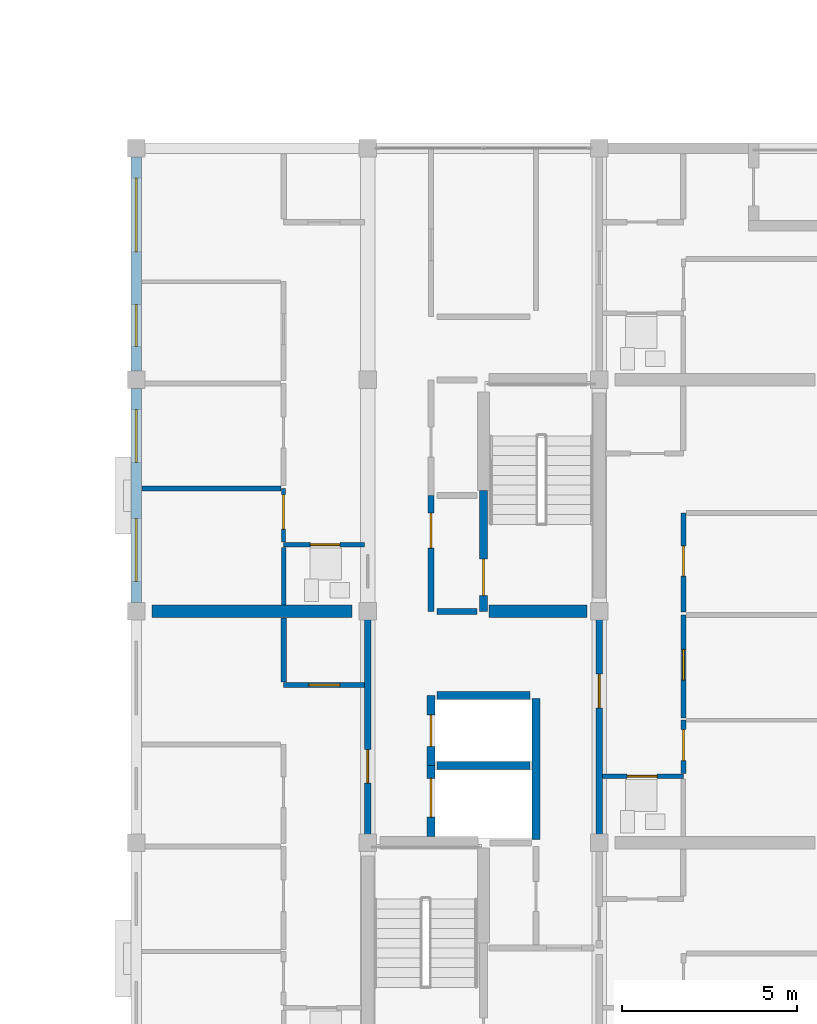
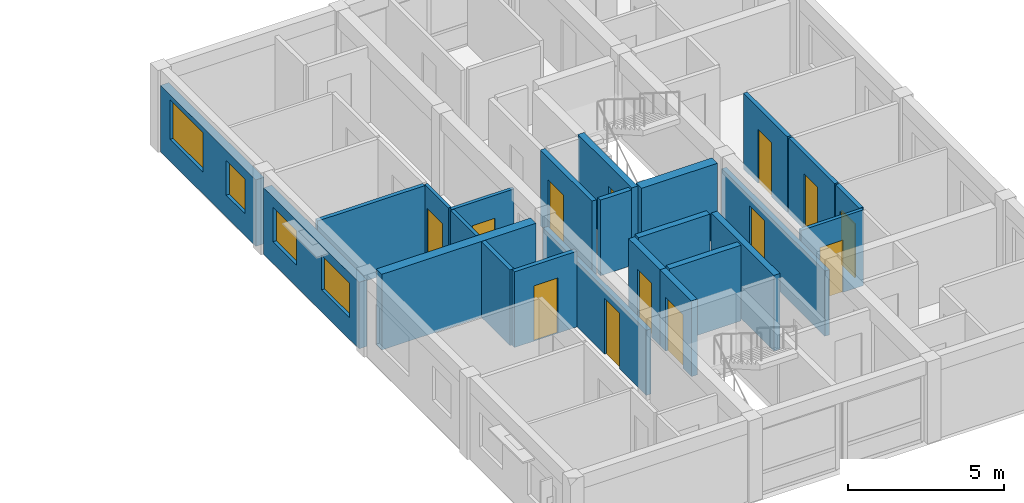
# One storey, part 31 of 52: 24 walls, 13 doors, 4 windows, 17 openings.
"""IFC4 building model written with IfcOpenShell, lengths in metres."""

from ifc_helpers import new_model, si_unit, direction, frame, frame_2d, origin, place, context, subcontext, project, spatial, rectangle, extrude, material, layer, layer_set, type_object, element, fill, save


model = new_model("IFC4")

# Units and contexts
model_context = context("Model", 3, precision=1e-05, world=origin(), true_north=direction((0.0, 1.0)))
body_context = subcontext(model_context, "Body", "Model", "MODEL_VIEW")
ifc_project = project(units=[si_unit("LENGTHUNIT", "METRE"), si_unit("AREAUNIT", "SQUARE_METRE"), si_unit("VOLUMEUNIT", "CUBIC_METRE"), si_unit("PLANEANGLEUNIT", "RADIAN"), si_unit("MASSUNIT", "GRAM", prefix="KILO")], contexts=[model_context])

# Site, building, storey
site_placement = place(None, origin())
site = spatial("IfcSite", under=ifc_project, at=site_placement, CompositionType="ELEMENT")
building_placement = place(site_placement, origin())
building = spatial("IfcBuilding", under=site, at=building_placement, Name="Kernevlak Ridge Housing Community", CompositionType="ELEMENT")
storey_placement = place(building_placement, frame((0.0, 0.0, 11.60009765625)))
storey = spatial("IfcBuildingStorey", under=building, at=storey_placement, Name="L03", CompositionType="ELEMENT", Elevation=11.60009765625)

# Wall, openings, windows
ifc_material_1 = material(Name="Concrete block masonry M10", Category="masonry")
ifc_layer_1 = layer(ifc_material_1, 0.300048828125, Name="Concrete block masonry M10")
ifc_layer_set_1 = layer_set([ifc_layer_1], Name="Concrete block masonry M10")
wall_type_1 = type_object("IfcWallType", Name="EW-01", PredefinedType="STANDARD", material=ifc_layer_set_1)
wall_1_placement = place(storey_placement, frame((126.0, 29.050048828125, 0.0), z_axis=(0.0, 0.0, 1.0), x_axis=(0.0, 1.0, 0.0)))
wall_1 = element("IfcWall", 1, at=wall_1_placement, inside=storey, type_object=wall_type_1, Name="Exterior wall EW-01 L03 574", PredefinedType="STANDARD", context=body_context, shape_type="SweptSolid", body=[
    extrude(rectangle(XDim=6.099853515625, YDim=0.300048828125, at=frame_2d((3.0498046875, 0.0))), origin(), (0.0, 0.0, 1.0), 2.599853515625),
])
opening_1_placement = place(wall_1_placement, frame((0.60009765625, 0.0, 0.85009765625)))
opening_1 = element("IfcOpeningElement", 2, at=opening_1_placement, cuts=wall_1, Name="Opening WT-03", PredefinedType="OPENING", context=body_context, shape_type="SweptSolid", body=[
    extrude(rectangle(XDim=1.800048828125, YDim=1.35009765625, at=frame_2d((0.89990234375, 0.675048828125))), frame((0.0, 0.159912109375, 0.0), z_axis=(0.0, -1.0, 0.0), x_axis=(1.0, 0.0, 0.0)), (0.0, 0.0, 1.0), 0.320068359375),
])
opening_2_placement = place(wall_1_placement, frame((4.0, 0.0, 0.85009765625)))
opening_2 = element("IfcOpeningElement", 3, at=opening_2_placement, cuts=wall_1, Name="Opening WT-02", PredefinedType="OPENING", context=body_context, shape_type="SweptSolid", body=[
    extrude(rectangle(XDim=1.5, YDim=1.35009765625, at=frame_2d((0.75, 0.675048828125))), frame((0.0, 0.159912109375, 0.0), z_axis=(0.0, -1.0, 0.0), x_axis=(1.0, 0.0, 0.0)), (0.0, 0.0, 1.0), 0.320068359375),
])
ifc_material_2 = material(Name="Aluminium EN AW-6060 anodised and laminated glass", Category="aluminium")
window_type_1 = type_object("IfcWindowType", Name="WT-02", PartitioningType="SINGLE_PANEL", PredefinedType="WINDOW", material=ifc_material_2)
window_1_placement = place(opening_2_placement, origin())
window_1 = element("IfcWindow", 4, at=window_1_placement, inside=storey, type_object=window_type_1, Name="Window WT-02 L03 462", OverallHeight=1.35009765625, OverallWidth=1.5, PartitioningType="SINGLE_PANEL", PredefinedType="WINDOW", context=body_context, shape_type="SweptSolid", body=[
    extrude(rectangle(XDim=1.5, YDim=1.35009765625, at=frame_2d((0.75, 0.675048828125))), frame((0.0, 0.030029296875, 0.0), z_axis=(0.0, -1.0, 0.0), x_axis=(1.0, 0.0, 0.0)), (0.0, 0.0, 1.0), 0.06005859375),
])
fill(opening_2, window_1)
window_type_2 = type_object("IfcWindowType", Name="WT-03", PartitioningType="SINGLE_PANEL", PredefinedType="WINDOW", material=ifc_material_2)
window_2_placement = place(opening_1_placement, origin())
window_2 = element("IfcWindow", 5, at=window_2_placement, inside=storey, type_object=window_type_2, Name="Window WT-03 L03 461", OverallHeight=1.35009765625, OverallWidth=1.800048828125, PartitioningType="SINGLE_PANEL", PredefinedType="WINDOW", context=body_context, shape_type="SweptSolid", body=[
    extrude(rectangle(XDim=1.800048828125, YDim=1.35009765625, at=frame_2d((0.89990234375, 0.675048828125))), frame((0.0, 0.030029296875, 0.0), z_axis=(0.0, -1.0, 0.0), x_axis=(1.0, 0.0, 0.0)), (0.0, 0.0, 1.0), 0.06005859375),
])
fill(opening_1, window_2)

wall_2_placement = place(storey_placement, frame((126.0, 35.64990234375, 0.0), z_axis=(0.0, 0.0, 1.0), x_axis=(0.0, 1.0, 0.0)))
wall_2 = element("IfcWall", 6, at=wall_2_placement, inside=storey, type_object=wall_type_1, Name="Exterior wall EW-01 L03 575", PredefinedType="STANDARD", context=body_context, shape_type="SweptSolid", body=[
    extrude(rectangle(XDim=6.10009765625, YDim=0.300048828125, at=frame_2d((3.050048828125, 0.0))), origin(), (0.0, 0.0, 1.0), 2.599853515625),
])
opening_3_placement = place(wall_2_placement, frame((0.699951171875, 0.0, 0.85009765625)))
opening_3 = element("IfcOpeningElement", 7, at=opening_3_placement, cuts=wall_2, Name="Opening WT-01", PredefinedType="OPENING", context=body_context, shape_type="SweptSolid", body=[
    extrude(rectangle(XDim=1.199951171875, YDim=1.35009765625, at=frame_2d((0.60009765625, 0.675048828125))), frame((0.0, 0.159912109375, 0.0), z_axis=(0.0, -1.0, 0.0), x_axis=(1.0, 0.0, 0.0)), (0.0, 0.0, 1.0), 0.320068359375),
])
opening_4_placement = place(wall_2_placement, frame((3.39990234375, 0.0, 0.85009765625)))
opening_4 = element("IfcOpeningElement", 8, at=opening_4_placement, cuts=wall_2, Name="Opening WT-05", PredefinedType="OPENING", context=body_context, shape_type="SweptSolid", body=[
    extrude(rectangle(XDim=2.10009765625, YDim=1.550048828125, at=frame_2d((1.050048828125, 0.77490234375))), frame((0.0, 0.159912109375, 0.0), z_axis=(0.0, -1.0, 0.0), x_axis=(1.0, 0.0, 0.0)), (0.0, 0.0, 1.0), 0.320068359375),
])
window_type_3 = type_object("IfcWindowType", Name="WT-01", PartitioningType="SINGLE_PANEL", PredefinedType="WINDOW", material=ifc_material_2)
window_3_placement = place(opening_3_placement, origin())
window_3 = element("IfcWindow", 9, at=window_3_placement, inside=storey, type_object=window_type_3, Name="Window WT-01 L03 463", OverallHeight=1.35009765625, OverallWidth=1.199951171875, PartitioningType="SINGLE_PANEL", PredefinedType="WINDOW", context=body_context, shape_type="SweptSolid", body=[
    extrude(rectangle(XDim=1.199951171875, YDim=1.35009765625, at=frame_2d((0.60009765625, 0.675048828125))), frame((0.0, 0.030029296875, 0.0), z_axis=(0.0, -1.0, 0.0), x_axis=(1.0, 0.0, 0.0)), (0.0, 0.0, 1.0), 0.06005859375),
])
fill(opening_3, window_3)
window_type_4 = type_object("IfcWindowType", Name="WT-05", PartitioningType="SINGLE_PANEL", PredefinedType="WINDOW", material=ifc_material_2)
window_4_placement = place(opening_4_placement, origin())
window_4 = element("IfcWindow", 10, at=window_4_placement, inside=storey, type_object=window_type_4, Name="Window WT-05 L03 464", OverallHeight=1.550048828125, OverallWidth=2.10009765625, PartitioningType="SINGLE_PANEL", PredefinedType="WINDOW", context=body_context, shape_type="SweptSolid", body=[
    extrude(rectangle(XDim=2.10009765625, YDim=1.550048828125, at=frame_2d((1.050048828125, 0.77490234375))), frame((0.0, 0.030029296875, 0.0), z_axis=(0.0, -1.0, 0.0), x_axis=(1.0, 0.0, 0.0)), (0.0, 0.0, 1.0), 0.06005859375),
])
fill(opening_4, window_4)

# Wall, opening, door
ifc_material_3 = material(Name="Concrete C35/45", Category="concrete")
ifc_layer_2 = layer(ifc_material_3, 0.22509765625, Name="Concrete C35/45")
ifc_layer_set_2 = layer_set([ifc_layer_2], Name="Concrete C35/45")
wall_type_2 = type_object("IfcWallType", Name="PW-01", PredefinedType="STANDARD", material=ifc_layer_set_2)
wall_3_placement = place(storey_placement, frame((134.39990234375, 22.385009765625, 0.0), z_axis=(0.0, 0.0, 1.0), x_axis=(0.0, 1.0, 0.0)))
wall_3 = element("IfcWall", 11, at=wall_3_placement, inside=storey, type_object=wall_type_2, Name="Interior wall PW-01 WAL-INT-L03-2300", PredefinedType="STANDARD", context=body_context, shape_type="SweptSolid", body=[
    extrude(rectangle(XDim=2.014892578125, YDim=0.22509765625, at=frame_2d((1.00732421875, 0.0))), origin(), (0.0, 0.0, 1.0), 2.9599609375),
])
opening_5_placement = place(wall_3_placement, frame((0.550048828125, 0.0, 0.0)))
opening_5 = element("IfcOpeningElement", 12, at=opening_5_placement, cuts=wall_3, Name="Opening LD61", PredefinedType="OPENING", context=body_context, shape_type="SweptSolid", body=[
    extrude(rectangle(XDim=1.10009765625, YDim=2.10009765625, at=frame_2d((0.550048828125, 1.050048828125))), frame((0.0, 0.12255859375, 0.0), z_axis=(0.0, -1.0, 0.0), x_axis=(1.0, 0.0, 0.0)), (0.0, 0.0, 1.0), 0.2451171875),
])
ifc_material_4 = material(Name="Stainless steel EN 1.4401", Category="steel")
door_type_1 = type_object("IfcDoorType", Name="DT-LD1", OperationType="DOUBLE_DOOR_SLIDING", PredefinedType="DOOR", material=ifc_material_4)
door_1_placement = place(opening_5_placement, origin())
door_1 = element("IfcDoor", 13, at=door_1_placement, inside=storey, type_object=door_type_1, Name="Lift LF-C1 landing door LD61", OperationType="DOUBLE_DOOR_SLIDING", OverallHeight=2.10009765625, OverallWidth=1.10009765625, PredefinedType="DOOR", context=body_context, shape_type="SweptSolid", body=[
    extrude(rectangle(XDim=1.10009765625, YDim=2.10009765625, at=frame_2d((0.550048828125, 1.050048828125))), frame((0.0, 0.02490234375, 0.0), z_axis=(0.0, -1.0, 0.0), x_axis=(1.0, 0.0, 0.0)), (0.0, 0.0, 1.0), 0.050048828125),
])
fill(opening_5, door_1)

wall_4_placement = place(storey_placement, frame((134.39990234375, 24.39990234375, 0.0), z_axis=(0.0, 0.0, 1.0), x_axis=(0.0, 1.0, 0.0)))
wall_4 = element("IfcWall", 14, at=wall_4_placement, inside=storey, type_object=wall_type_2, Name="Interior wall PW-01 WAL-INT-L03-2301", PredefinedType="STANDARD", context=body_context, shape_type="SweptSolid", body=[
    extrude(rectangle(XDim=2.0, YDim=0.22509765625, at=frame_2d((1.0, 0.0))), origin(), (0.0, 0.0, 1.0), 2.9599609375),
])
opening_6_placement = place(wall_4_placement, frame((0.550048828125, 0.0, 0.0)))
opening_6 = element("IfcOpeningElement", 15, at=opening_6_placement, cuts=wall_4, Name="Opening LD62", PredefinedType="OPENING", context=body_context, shape_type="SweptSolid", body=[
    extrude(rectangle(XDim=0.89990234375, YDim=2.10009765625, at=frame_2d((0.449951171875, 1.050048828125))), frame((0.0, 0.12255859375, 0.0), z_axis=(0.0, -1.0, 0.0), x_axis=(1.0, 0.0, 0.0)), (0.0, 0.0, 1.0), 0.2451171875),
])
door_type_2 = type_object("IfcDoorType", Name="DT-LD2", OperationType="DOUBLE_DOOR_SLIDING", PredefinedType="DOOR", material=ifc_material_4)
door_2_placement = place(opening_6_placement, origin())
door_2 = element("IfcDoor", 16, at=door_2_placement, inside=storey, type_object=door_type_2, Name="Lift LF-C2 landing door LD62", OperationType="DOUBLE_DOOR_SLIDING", OverallHeight=2.10009765625, OverallWidth=0.89990234375, PredefinedType="DOOR", context=body_context, shape_type="SweptSolid", body=[
    extrude(rectangle(XDim=0.89990234375, YDim=2.10009765625, at=frame_2d((0.449951171875, 1.050048828125))), frame((0.0, 0.02490234375, 0.0), z_axis=(0.0, -1.0, 0.0), x_axis=(1.0, 0.0, 0.0)), (0.0, 0.0, 1.0), 0.050048828125),
])
fill(opening_6, door_2)

# Walls
wall_5_placement = place(storey_placement, frame((137.39990234375, 22.297607421875, 0.0), z_axis=(0.0, 0.0, 1.0), x_axis=(0.0, 1.0, 0.0)))
element("IfcWall", 17, at=wall_5_placement, inside=storey, type_object=wall_type_2, Name="Interior wall PW-01 WAL-INT-L03-2302", PredefinedType="STANDARD", context=body_context, shape_type="SweptSolid", body=[
    extrude(rectangle(XDim=4.0224609375, YDim=0.22509765625, at=frame_2d((2.01123046875, 0.0))), origin(), (0.0, 0.0, 1.0), 2.9599609375),
])
for number, where, z_axis, x_axis, name in (
    (18, (134.580078125, 24.39990234375, 0.0), (0.0, 0.0, 1.0), (1.0, 0.0, 0.0), "Interior wall PW-01 WAL-INT-L03-2304"),
    (19, (134.580078125, 26.39990234375, 0.0), (0.0, 0.0, 1.0), (1.0, 0.0, 0.0), "Interior wall PW-01 WAL-INT-L03-2305"),
):
    element("IfcWall", number, at=place(storey_placement, frame(where, z_axis=z_axis, x_axis=x_axis)), inside=storey, type_object=wall_type_2, Name=name, PredefinedType="STANDARD", context=body_context, shape_type="SweptSolid", body=[
        extrude(rectangle(XDim=2.639892578125, YDim=0.22509765625, at=frame_2d((1.31982421875, 0.0))), origin(), (0.0, 0.0, 1.0), 2.9599609375),
    ])

# Wall, opening, door
wall_6_placement = place(storey_placement, frame((135.89990234375, 28.800048828125, 0.0), z_axis=(0.0, 0.0, 1.0), x_axis=(0.0, 1.0, 0.0)))
wall_6 = element("IfcWall", 20, at=wall_6_placement, inside=storey, type_object=wall_type_2, Name="Interior wall PW-01 WAL-INT-L03-2306", PredefinedType="STANDARD", context=body_context, shape_type="SweptSolid", body=[
    extrude(rectangle(XDim=3.449951171875, YDim=0.22509765625, at=frame_2d((1.72509765625, 0.0))), origin(), (0.0, 0.0, 1.0), 2.9599609375),
])
opening_7_placement = place(wall_6_placement, frame((0.449951171875, 0.0, 0.0)))
opening_7 = element("IfcOpeningElement", 21, at=opening_7_placement, cuts=wall_6, Name="Opening E168", PredefinedType="OPENING", context=body_context, shape_type="SweptSolid", body=[
    extrude(rectangle(XDim=1.0400390625, YDim=2.1201171875, at=frame_2d((0.52001953125, 1.06005859375))), frame((0.0, 0.12255859375, 0.0), z_axis=(0.0, -1.0, 0.0), x_axis=(1.0, 0.0, 0.0)), (0.0, 0.0, 1.0), 0.2451171875),
])
ifc_material_5 = material(Name="Fire-rated sheet steel leaf", Category="steel")
door_type_3 = type_object("IfcDoorType", Name="DT-16", OperationType="NOTDEFINED", PredefinedType="DOOR", material=ifc_material_5)
door_3_placement = place(opening_7_placement, origin())
door_3 = element("IfcDoor", 22, at=door_3_placement, inside=storey, type_object=door_type_3, Name="Block C Stair 2 fire door E168", OperationType="SINGLE_SWING_LEFT", OverallHeight=2.1201171875, OverallWidth=1.0400390625, PredefinedType="DOOR", context=body_context, shape_type="SweptSolid", body=[
    extrude(rectangle(XDim=1.0400390625, YDim=2.1201171875, at=frame_2d((0.52001953125, 1.06005859375))), frame((0.0, 0.02490234375, 0.0), z_axis=(0.0, -1.0, 0.0), x_axis=(1.0, 0.0, 0.0)), (0.0, 0.0, 1.0), 0.050048828125),
])
fill(opening_7, door_3)

ifc_layer_3 = layer(ifc_material_1, 0.175048828125, Name="Concrete block masonry M10")
ifc_layer_set_3 = layer_set([ifc_layer_3], Name="Concrete block masonry M10")
wall_type_3 = type_object("IfcWallType", Name="PW-02", PredefinedType="PARTITIONING", material=ifc_layer_set_3)
wall_7_placement = place(storey_placement, frame((134.39990234375, 28.800048828125, 0.0), z_axis=(0.0, 0.0, 1.0), x_axis=(0.0, 1.0, 0.0)))
wall_7 = element("IfcWall", 23, at=wall_7_placement, inside=storey, type_object=wall_type_3, Name="Interior wall PW-02 WAL-INT-L03-2307", PredefinedType="PARTITIONING", context=body_context, shape_type="SweptSolid", body=[
    extrude(rectangle(XDim=3.300048828125, YDim=0.175048828125, at=frame_2d((1.64990234375, 0.0))), origin(), (0.0, 0.0, 1.0), 2.9599609375),
])
opening_8_placement = place(wall_7_placement, frame((1.800048828125, 0.0, 0.0)))
opening_8 = element("IfcOpeningElement", 24, at=opening_8_placement, cuts=wall_7, Name="Opening E169", PredefinedType="OPENING", context=body_context, shape_type="SweptSolid", body=[
    extrude(rectangle(XDim=1.0, YDim=2.10009765625, at=frame_2d((0.5, 1.050048828125))), frame((0.0, 0.097412109375, 0.0), z_axis=(0.0, -1.0, 0.0), x_axis=(1.0, 0.0, 0.0)), (0.0, 0.0, 1.0), 0.195068359375),
])
door_type_4 = type_object("IfcDoorType", Name="DT-05", OperationType="NOTDEFINED", PredefinedType="DOOR", material=ifc_material_5)
door_4_placement = place(opening_8_placement, origin())
door_4 = element("IfcDoor", 25, at=door_4_placement, inside=storey, type_object=door_type_4, Name="Block C Firefighting lobby 2 door E169", OperationType="SINGLE_SWING_RIGHT", OverallHeight=2.10009765625, OverallWidth=1.0, PredefinedType="DOOR", context=body_context, shape_type="SweptSolid", body=[
    extrude(rectangle(XDim=1.0, YDim=2.10009765625, at=frame_2d((0.5, 1.050048828125))), frame((0.0, 0.02490234375, 0.0), z_axis=(0.0, -1.0, 0.0), x_axis=(1.0, 0.0, 0.0)), (0.0, 0.0, 1.0), 0.050048828125),
])
fill(opening_8, door_4)

# Wall
wall_8_placement = place(storey_placement, frame((134.580078125, 28.800048828125, 0.0), z_axis=(0.0, 0.0, 1.0), x_axis=(1.0, 0.0, 0.0)))
element("IfcWall", 26, at=wall_8_placement, inside=storey, type_object=wall_type_3, Name="Interior wall PW-02 WAL-INT-L03-2309", PredefinedType="PARTITIONING", context=body_context, shape_type="SweptSolid", body=[
    extrude(rectangle(XDim=1.139892578125, YDim=0.175048828125, at=frame_2d((0.56982421875, 0.0))), origin(), (0.0, 0.0, 1.0), 2.9599609375),
])

# Wall, opening, door
wall_9_placement = place(storey_placement, frame((132.60009765625, 22.199951171875, 0.0), z_axis=(0.0, 0.0, 1.0), x_axis=(0.0, 1.0, 0.0)))
wall_9 = element("IfcWall", 27, at=wall_9_placement, inside=storey, type_object=wall_type_3, Name="Interior wall PW-02 WAL-INT-L03-2315", PredefinedType="PARTITIONING", context=body_context, shape_type="SweptSolid", body=[
    extrude(rectangle(XDim=6.60009765625, YDim=0.175048828125, at=frame_2d((3.300048828125, 0.0))), origin(), (0.0, 0.0, 1.0), 2.5498046875),
])
opening_9_placement = place(wall_9_placement, frame((1.699951171875, 0.0, 0.0)))
opening_9 = element("IfcOpeningElement", 28, at=opening_9_placement, cuts=wall_9, Name="Opening E172", PredefinedType="OPENING", context=body_context, shape_type="SweptSolid", body=[
    extrude(rectangle(XDim=0.9599609375, YDim=2.179931640625, at=frame_2d((0.47998046875, 1.08984375))), frame((0.0, 0.097412109375, 0.0), z_axis=(0.0, -1.0, 0.0), x_axis=(1.0, 0.0, 0.0)), (0.0, 0.0, 1.0), 0.195068359375),
])
ifc_material_6 = material(Name="Hardwood timber solid-core fire leaf", Category="wood")
door_type_5 = type_object("IfcDoorType", Name="DT-29", OperationType="NOTDEFINED", PredefinedType="DOOR", material=ifc_material_6)
door_5_placement = place(opening_9_placement, origin())
door_5 = element("IfcDoor", 29, at=door_5_placement, inside=storey, type_object=door_type_5, Name="Flat C0311 entrance fire door E172", OperationType="SINGLE_SWING_LEFT", OverallHeight=2.179931640625, OverallWidth=0.9599609375, PredefinedType="DOOR", context=body_context, shape_type="SweptSolid", body=[
    extrude(rectangle(XDim=0.9599609375, YDim=2.179931640625, at=frame_2d((0.47998046875, 1.08984375))), frame((0.0, 0.02490234375, 0.0), z_axis=(0.0, -1.0, 0.0), x_axis=(1.0, 0.0, 0.0)), (0.0, 0.0, 1.0), 0.050048828125),
])
fill(opening_9, door_5)

wall_10_placement = place(storey_placement, frame((139.199951171875, 22.199951171875, 0.0), z_axis=(0.0, 0.0, 1.0), x_axis=(0.0, 1.0, 0.0)))
wall_10 = element("IfcWall", 30, at=wall_10_placement, inside=storey, type_object=wall_type_3, Name="Interior wall PW-02 WAL-INT-L03-2345", PredefinedType="PARTITIONING", context=body_context, shape_type="SweptSolid", body=[
    extrude(rectangle(XDim=6.60009765625, YDim=0.175048828125, at=frame_2d((3.300048828125, 0.0))), origin(), (0.0, 0.0, 1.0), 2.5498046875),
])
opening_10_placement = place(wall_10_placement, frame((3.85009765625, 0.0, 0.0)))
opening_10 = element("IfcOpeningElement", 31, at=opening_10_placement, cuts=wall_10, Name="Opening E188", PredefinedType="OPENING", context=body_context, shape_type="SweptSolid", body=[
    extrude(rectangle(XDim=0.9599609375, YDim=2.179931640625, at=frame_2d((0.47998046875, 1.08984375))), frame((0.0, 0.097412109375, 0.0), z_axis=(0.0, -1.0, 0.0), x_axis=(1.0, 0.0, 0.0)), (0.0, 0.0, 1.0), 0.195068359375),
])
door_6_placement = place(opening_10_placement, origin())
door_6 = element("IfcDoor", 32, at=door_6_placement, inside=storey, type_object=door_type_5, Name="Flat C0322 entrance fire door E188", OperationType="SINGLE_SWING_LEFT", OverallHeight=2.179931640625, OverallWidth=0.9599609375, PredefinedType="DOOR", context=body_context, shape_type="SweptSolid", body=[
    extrude(rectangle(XDim=0.9599609375, YDim=2.179931640625, at=frame_2d((0.47998046875, 1.08984375))), frame((0.0, 0.02490234375, 0.0), z_axis=(0.0, -1.0, 0.0), x_axis=(1.0, 0.0, 0.0)), (0.0, 0.0, 1.0), 0.050048828125),
])
fill(opening_10, door_6)

# Wall
ifc_layer_4 = layer(ifc_material_1, 0.14501953125, Name="Concrete block masonry M10")
ifc_layer_set_4 = layer_set([ifc_layer_4], Name="Concrete block masonry M10")
wall_type_4 = type_object("IfcWallType", Name="PW-03", PredefinedType="PARTITIONING", material=ifc_layer_set_4)
wall_11_placement = place(storey_placement, frame((130.1201171875, 32.300048828125, 0.0), z_axis=(0.0, 0.0, 1.0), x_axis=(-1.0, 0.0, 0.0)))
element("IfcWall", 33, at=wall_11_placement, inside=storey, type_object=wall_type_4, Name="Interior wall PW-03 WAL-INT-L03-2332", PredefinedType="PARTITIONING", context=body_context, shape_type="SweptSolid", body=[
    extrude(rectangle(XDim=3.960205078125, YDim=0.14501953125, at=frame_2d((1.97998046875, 0.0))), origin(), (0.0, 0.0, 1.0), 2.9599609375),
])

# Wall, opening, door
wall_12_placement = place(storey_placement, frame((141.60009765625, 24.172607421875, 0.0), z_axis=(0.0, 0.0, 1.0), x_axis=(0.0, 1.0, 0.0)))
wall_12 = element("IfcWall", 34, at=wall_12_placement, inside=storey, type_object=wall_type_4, Name="Interior wall PW-03 WAL-INT-L03-2350", PredefinedType="PARTITIONING", context=body_context, shape_type="SweptSolid", body=[
    extrude(rectangle(XDim=1.52734375, YDim=0.14501953125, at=frame_2d((0.763671875, 0.0))), origin(), (0.0, 0.0, 1.0), 2.9599609375),
])
opening_11_placement = place(wall_12_placement, frame((0.375, 0.0, 0.0)))
opening_11 = element("IfcOpeningElement", 35, at=opening_11_placement, cuts=wall_12, Name="Opening E191", PredefinedType="OPENING", context=body_context, shape_type="SweptSolid", body=[
    extrude(rectangle(XDim=0.8798828125, YDim=2.10009765625, at=frame_2d((0.43994140625, 1.050048828125))), frame((0.0, 0.08251953125, 0.0), z_axis=(0.0, -1.0, 0.0), x_axis=(1.0, 0.0, 0.0)), (0.0, 0.0, 1.0), 0.1650390625),
])
ifc_material_7 = material(Name="Hardwood timber leaf", Category="wood")
door_type_6 = type_object("IfcDoorType", Name="DT-25", OperationType="NOTDEFINED", PredefinedType="DOOR", material=ifc_material_7)
door_7_placement = place(opening_11_placement, origin())
door_7 = element("IfcDoor", 36, at=door_7_placement, inside=storey, type_object=door_type_6, Name="Flat C0322 bedroom door E191", OperationType="SINGLE_SWING_RIGHT", OverallHeight=2.10009765625, OverallWidth=0.8798828125, PredefinedType="DOOR", context=body_context, shape_type="SweptSolid", body=[
    extrude(rectangle(XDim=0.8798828125, YDim=2.10009765625, at=frame_2d((0.43994140625, 1.050048828125))), frame((0.0, 0.02490234375, 0.0), z_axis=(0.0, -1.0, 0.0), x_axis=(1.0, 0.0, 0.0)), (0.0, 0.0, 1.0), 0.050048828125),
])
fill(opening_11, door_7)

wall_13_placement = place(storey_placement, frame((141.60009765625, 25.762451171875, 0.0), z_axis=(0.0, 0.0, 1.0), x_axis=(0.0, 1.0, 0.0)))
wall_13 = element("IfcWall", 37, at=wall_13_placement, inside=storey, type_object=wall_type_4, Name="Interior wall PW-03 WAL-INT-L03-2352", PredefinedType="PARTITIONING", context=body_context, shape_type="SweptSolid", body=[
    extrude(rectangle(XDim=2.9375, YDim=0.14501953125, at=frame_2d((1.46875, 0.0))), origin(), (0.0, 0.0, 1.0), 2.9599609375),
])
opening_12_placement = place(wall_13_placement, frame((1.074951171875, 0.0, 0.0)))
opening_12 = element("IfcOpeningElement", 38, at=opening_12_placement, cuts=wall_13, Name="Opening E192", PredefinedType="OPENING", context=body_context, shape_type="SweptSolid", body=[
    extrude(rectangle(XDim=0.8798828125, YDim=2.159912109375, at=frame_2d((0.43994140625, 1.080078125))), frame((0.0, 0.08251953125, 0.0), z_axis=(0.0, -1.0, 0.0), x_axis=(1.0, 0.0, 0.0)), (0.0, 0.0, 1.0), 0.1650390625),
])
door_type_7 = type_object("IfcDoorType", Name="DT-26", OperationType="NOTDEFINED", PredefinedType="DOOR", material=ifc_material_7)
door_8_placement = place(opening_12_placement, origin())
door_8 = element("IfcDoor", 39, at=door_8_placement, inside=storey, type_object=door_type_7, Name="Flat C0322 bedroom door E192", OperationType="SINGLE_SWING_LEFT", OverallHeight=2.159912109375, OverallWidth=0.8798828125, PredefinedType="DOOR", context=body_context, shape_type="SweptSolid", body=[
    extrude(rectangle(XDim=0.8798828125, YDim=2.159912109375, at=frame_2d((0.43994140625, 1.080078125))), frame((0.0, 0.02490234375, 0.0), z_axis=(0.0, -1.0, 0.0), x_axis=(1.0, 0.0, 0.0)), (0.0, 0.0, 1.0), 0.050048828125),
])
fill(opening_12, door_8)

wall_14_placement = place(storey_placement, frame((141.60009765625, 28.782470703125, 0.0), z_axis=(0.0, 0.0, 1.0), x_axis=(0.0, 1.0, 0.0)))
wall_14 = element("IfcWall", 40, at=wall_14_placement, inside=storey, type_object=wall_type_4, Name="Interior wall PW-03 WAL-INT-L03-2354", PredefinedType="PARTITIONING", context=body_context, shape_type="SweptSolid", body=[
    extrude(rectangle(XDim=2.817626953125, YDim=0.14501953125, at=frame_2d((1.40869140625, 0.0))), origin(), (0.0, 0.0, 1.0), 2.9599609375),
])
opening_13_placement = place(wall_14_placement, frame((1.02490234375, 0.0, 0.0)))
opening_13 = element("IfcOpeningElement", 41, at=opening_13_placement, cuts=wall_14, Name="Opening E193", PredefinedType="OPENING", context=body_context, shape_type="SweptSolid", body=[
    extrude(rectangle(XDim=0.860107421875, YDim=2.1201171875, at=frame_2d((0.43017578125, 1.06005859375))), frame((0.0, 0.08251953125, 0.0), z_axis=(0.0, -1.0, 0.0), x_axis=(1.0, 0.0, 0.0)), (0.0, 0.0, 1.0), 0.1650390625),
])
door_type_8 = type_object("IfcDoorType", Name="DT-28", OperationType="NOTDEFINED", PredefinedType="DOOR", material=ifc_material_7)
door_9_placement = place(opening_13_placement, origin())
door_9 = element("IfcDoor", 42, at=door_9_placement, inside=storey, type_object=door_type_8, Name="Flat C0322 bedroom door E193", OperationType="SINGLE_SWING_RIGHT", OverallHeight=2.1201171875, OverallWidth=0.860107421875, PredefinedType="DOOR", context=body_context, shape_type="SweptSolid", body=[
    extrude(rectangle(XDim=0.860107421875, YDim=2.1201171875, at=frame_2d((0.43017578125, 1.06005859375))), frame((0.0, 0.02490234375, 0.0), z_axis=(0.0, -1.0, 0.0), x_axis=(1.0, 0.0, 0.0)), (0.0, 0.0, 1.0), 0.050048828125),
])
fill(opening_13, door_9)

ifc_material_8 = material(Name="Gypsum plasterboard EN 520", Category="gypsum")
ifc_layer_5 = layer(ifc_material_8, 0.125, Name="Gypsum plasterboard EN 520")
ifc_layer_set_5 = layer_set([ifc_layer_5], Name="Gypsum plasterboard EN 520")
wall_type_5 = type_object("IfcWallType", Name="PW-04", PredefinedType="PARTITIONING", material=ifc_layer_set_5)
wall_15_placement = place(storey_placement, frame((132.50244140625, 30.699951171875, 0.0), z_axis=(0.0, 0.0, 1.0), x_axis=(-1.0, 0.0, 0.0)))
wall_15 = element("IfcWall", 43, at=wall_15_placement, inside=storey, type_object=wall_type_5, Name="Interior wall PW-04 WAL-INT-L03-2327", PredefinedType="PARTITIONING", context=body_context, shape_type="SweptSolid", body=[
    extrude(rectangle(XDim=2.302490234375, YDim=0.125, at=frame_2d((1.1513671875, 0.0))), origin(), (0.0, 0.0, 1.0), 2.9599609375),
])
opening_14_placement = place(wall_15_placement, frame((0.699951171875, 0.0, 0.0)))
opening_14 = element("IfcOpeningElement", 44, at=opening_14_placement, cuts=wall_15, Name="Opening E179", PredefinedType="OPENING", context=body_context, shape_type="SweptSolid", body=[
    extrude(rectangle(XDim=0.840087890625, YDim=2.06005859375, at=frame_2d((0.419921875, 1.030029296875))), frame((0.0, 0.072509765625, 0.0), z_axis=(0.0, -1.0, 0.0), x_axis=(1.0, 0.0, 0.0)), (0.0, 0.0, 1.0), 0.14501953125),
])
ifc_material_9 = material(Name="Hardwood timber moisture-resistant leaf", Category="wood")
door_type_9 = type_object("IfcDoorType", Name="DT-27", OperationType="NOTDEFINED", PredefinedType="DOOR", material=ifc_material_9)
door_10_placement = place(opening_14_placement, origin())
door_10 = element("IfcDoor", 45, at=door_10_placement, inside=storey, type_object=door_type_9, Name="Flat C0312 bathroom door E179", OperationType="SINGLE_SWING_RIGHT", OverallHeight=2.06005859375, OverallWidth=0.840087890625, PredefinedType="DOOR", context=body_context, shape_type="SweptSolid", body=[
    extrude(rectangle(XDim=0.840087890625, YDim=2.06005859375, at=frame_2d((0.419921875, 1.030029296875))), frame((0.0, 0.02490234375, 0.0), z_axis=(0.0, -1.0, 0.0), x_axis=(1.0, 0.0, 0.0)), (0.0, 0.0, 1.0), 0.050048828125),
])
fill(opening_14, door_10)

# Wall
wall_16_placement = place(storey_placement, frame((130.199951171875, 28.985107421875, 0.0), z_axis=(0.0, 0.0, 1.0), x_axis=(0.0, 1.0, 0.0)))
element("IfcWall", 46, at=wall_16_placement, inside=storey, type_object=wall_type_5, Name="Interior wall PW-04 WAL-INT-L03-2328", PredefinedType="PARTITIONING", context=body_context, shape_type="SweptSolid", body=[
    extrude(rectangle(XDim=1.635009765625, YDim=0.125, at=frame_2d((0.8173828125, 0.0))), origin(), (0.0, 0.0, 1.0), 2.9599609375),
])

# Wall, opening, door
wall_17_placement = place(storey_placement, frame((139.297607421875, 24.10009765625, 0.0), z_axis=(0.0, 0.0, 1.0), x_axis=(1.0, 0.0, 0.0)))
wall_17 = element("IfcWall", 47, at=wall_17_placement, inside=storey, type_object=wall_type_5, Name="Interior wall PW-04 WAL-INT-L03-2346", PredefinedType="PARTITIONING", context=body_context, shape_type="SweptSolid", body=[
    extrude(rectangle(XDim=2.302490234375, YDim=0.125, at=frame_2d((1.1513671875, 0.0))), origin(), (0.0, 0.0, 1.0), 2.9599609375),
])
opening_15_placement = place(wall_17_placement, frame((0.699951171875, 0.0, 0.0)))
opening_15 = element("IfcOpeningElement", 48, at=opening_15_placement, cuts=wall_17, Name="Opening E189", PredefinedType="OPENING", context=body_context, shape_type="SweptSolid", body=[
    extrude(rectangle(XDim=0.85009765625, YDim=2.0400390625, at=frame_2d((0.425048828125, 1.02001953125))), frame((0.0, 0.072509765625, 0.0), z_axis=(0.0, -1.0, 0.0), x_axis=(1.0, 0.0, 0.0)), (0.0, 0.0, 1.0), 0.14501953125),
])
door_type_10 = type_object("IfcDoorType", Name="DT-04", OperationType="NOTDEFINED", PredefinedType="DOOR", material=ifc_material_9)
door_11_placement = place(opening_15_placement, origin())
door_11 = element("IfcDoor", 49, at=door_11_placement, inside=storey, type_object=door_type_10, Name="Flat C0322 bathroom door E189", OperationType="SINGLE_SWING_RIGHT", OverallHeight=2.0400390625, OverallWidth=0.85009765625, PredefinedType="DOOR", context=body_context, shape_type="SweptSolid", body=[
    extrude(rectangle(XDim=0.85009765625, YDim=2.0400390625, at=frame_2d((0.425048828125, 1.02001953125))), frame((0.0, 0.02490234375, 0.0), z_axis=(0.0, -1.0, 0.0), x_axis=(1.0, 0.0, 0.0)), (0.0, 0.0, 1.0), 0.050048828125),
])
fill(opening_15, door_11)

ifc_layer_6 = layer(ifc_material_8, 0.155029296875, Name="Gypsum plasterboard EN 520")
ifc_layer_set_6 = layer_set([ifc_layer_6], Name="Gypsum plasterboard EN 520")
wall_type_6 = type_object("IfcWallType", Name="PW-05", PredefinedType="PARTITIONING", material=ifc_layer_set_6)
wall_18_placement = place(storey_placement, frame((132.50244140625, 26.699951171875, 0.0), z_axis=(0.0, 0.0, 1.0), x_axis=(-1.0, 0.0, 0.0)))
wall_18 = element("IfcWall", 50, at=wall_18_placement, inside=storey, type_object=wall_type_6, Name="Interior wall PW-05 WAL-INT-L03-2318", PredefinedType="PARTITIONING", context=body_context, shape_type="SweptSolid", body=[
    extrude(rectangle(XDim=2.302490234375, YDim=0.155029296875, at=frame_2d((1.1513671875, 0.0))), origin(), (0.0, 0.0, 1.0), 2.9599609375),
])
opening_16_placement = place(wall_18_placement, frame((0.699951171875, 0.0, 0.0)))
opening_16 = element("IfcOpeningElement", 51, at=opening_16_placement, cuts=wall_18, Name="Opening E174", PredefinedType="OPENING", context=body_context, shape_type="SweptSolid", body=[
    extrude(rectangle(XDim=0.8798828125, YDim=2.159912109375, at=frame_2d((0.43994140625, 1.080078125))), frame((0.0, 0.08740234375, 0.0), z_axis=(0.0, -1.0, 0.0), x_axis=(1.0, 0.0, 0.0)), (0.0, 0.0, 1.0), 0.175048828125),
])
door_12_placement = place(opening_16_placement, origin())
door_12 = element("IfcDoor", 52, at=door_12_placement, inside=storey, type_object=door_type_7, Name="Flat C0311 kitchen door E174", OperationType="SINGLE_SWING_LEFT", OverallHeight=2.159912109375, OverallWidth=0.8798828125, PredefinedType="DOOR", context=body_context, shape_type="SweptSolid", body=[
    extrude(rectangle(XDim=0.8798828125, YDim=2.159912109375, at=frame_2d((0.43994140625, 1.080078125))), frame((0.0, 0.02490234375, 0.0), z_axis=(0.0, -1.0, 0.0), x_axis=(1.0, 0.0, 0.0)), (0.0, 0.0, 1.0), 0.050048828125),
])
fill(opening_16, door_12)

# Wall
wall_19_placement = place(storey_placement, frame((130.199951171875, 26.78759765625, 0.0), z_axis=(0.0, 0.0, 1.0), x_axis=(0.0, 1.0, 0.0)))
element("IfcWall", 53, at=wall_19_placement, inside=storey, type_object=wall_type_6, Name="Interior wall PW-05 WAL-INT-L03-2319", PredefinedType="PARTITIONING", context=body_context, shape_type="SweptSolid", body=[
    extrude(rectangle(XDim=1.827392578125, YDim=0.155029296875, at=frame_2d((0.91357421875, 0.0))), origin(), (0.0, 0.0, 1.0), 2.9599609375),
])

# Wall, opening, door
ifc_layer_7 = layer(ifc_material_8, 0.10498046875, Name="Gypsum plasterboard EN 520")
ifc_layer_set_7 = layer_set([ifc_layer_7], Name="Gypsum plasterboard EN 520")
wall_type_7 = type_object("IfcWallType", Name="PW-06", PredefinedType="PARTITIONING", material=ifc_layer_set_7)
wall_20_placement = place(storey_placement, frame((130.199951171875, 30.7724609375, 0.0), z_axis=(0.0, 0.0, 1.0), x_axis=(0.0, 1.0, 0.0)))
wall_20 = element("IfcWall", 54, at=wall_20_placement, inside=storey, type_object=wall_type_7, Name="Interior wall PW-06 WAL-INT-L03-2331", PredefinedType="PARTITIONING", context=body_context, shape_type="SweptSolid", body=[
    extrude(rectangle(XDim=1.527587890625, YDim=0.10498046875, at=frame_2d((0.763671875, 0.0))), origin(), (0.0, 0.0, 1.0), 2.9599609375),
])
opening_17_placement = place(wall_20_placement, frame((0.375, 0.0, 0.0)))
opening_17 = element("IfcOpeningElement", 55, at=opening_17_placement, cuts=wall_20, Name="Opening E181", PredefinedType="OPENING", context=body_context, shape_type="SweptSolid", body=[
    extrude(rectangle(XDim=0.97998046875, YDim=2.1201171875, at=frame_2d((0.489990234375, 1.06005859375))), frame((0.0, 0.0625, 0.0), z_axis=(0.0, -1.0, 0.0), x_axis=(1.0, 0.0, 0.0)), (0.0, 0.0, 1.0), 0.125),
])
door_type_11 = type_object("IfcDoorType", Name="DT-24", OperationType="NOTDEFINED", PredefinedType="DOOR", material=ifc_material_7)
door_13_placement = place(opening_17_placement, origin())
door_13 = element("IfcDoor", 56, at=door_13_placement, inside=storey, type_object=door_type_11, Name="Flat C0312 bedroom door E181", OperationType="SINGLE_SWING_RIGHT", OverallHeight=2.1201171875, OverallWidth=0.97998046875, PredefinedType="DOOR", context=body_context, shape_type="SweptSolid", body=[
    extrude(rectangle(XDim=0.97998046875, YDim=2.1201171875, at=frame_2d((0.489990234375, 1.06005859375))), frame((0.0, 0.02490234375, 0.0), z_axis=(0.0, -1.0, 0.0), x_axis=(1.0, 0.0, 0.0)), (0.0, 0.0, 1.0), 0.050048828125),
])
fill(opening_17, door_13)

# Walls
ifc_material_10 = material(Name="Concrete C40/50", Category="concrete")
ifc_layer_8 = layer(ifc_material_10, 0.35009765625, Name="Concrete C40/50")
ifc_layer_set_8 = layer_set([ifc_layer_8], Name="Concrete C40/50")
wall_type_8 = type_object("IfcWallType", Name="SW-01", PredefinedType="SHEAR", material=ifc_layer_set_8)
wall_21_placement = place(storey_placement, frame((136.050048828125, 28.800048828125, 0.0), z_axis=(0.0, 0.0, 1.0), x_axis=(1.0, 0.0, 0.0)))
element("IfcWall", 57, at=wall_21_placement, inside=storey, type_object=wall_type_8, Name="Shear wall SW-01 Block C L03 406", PredefinedType="SHEAR", context=body_context, shape_type="SweptSolid", body=[
    extrude(rectangle(XDim=2.800048828125, YDim=0.35009765625, at=frame_2d((1.39990234375, 0.0))), origin(), (0.0, 0.0, 1.0), 2.9599609375),
])
wall_22_placement = place(storey_placement, frame((126.449951171875, 28.800048828125, 0.0), z_axis=(0.0, 0.0, 1.0), x_axis=(1.0, 0.0, 0.0)))
element("IfcWall", 58, at=wall_22_placement, inside=storey, type_object=wall_type_8, Name="Shear wall SW-01 Block C L03 408", PredefinedType="SHEAR", context=body_context, shape_type="SweptSolid", body=[
    extrude(rectangle(XDim=5.699951171875, YDim=0.35009765625, at=frame_2d((2.85009765625, 0.0))), origin(), (0.0, 0.0, 1.0), 2.9599609375),
])

save(model, "model.ifc")
